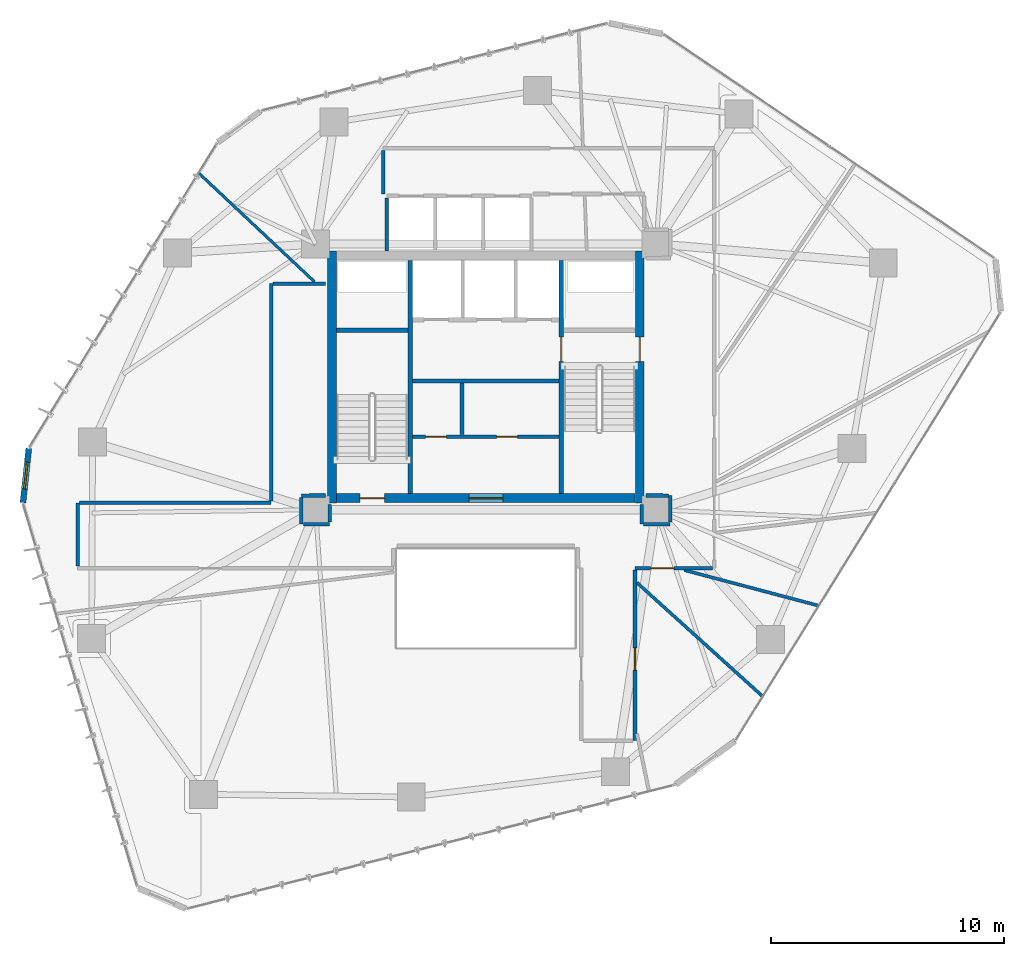
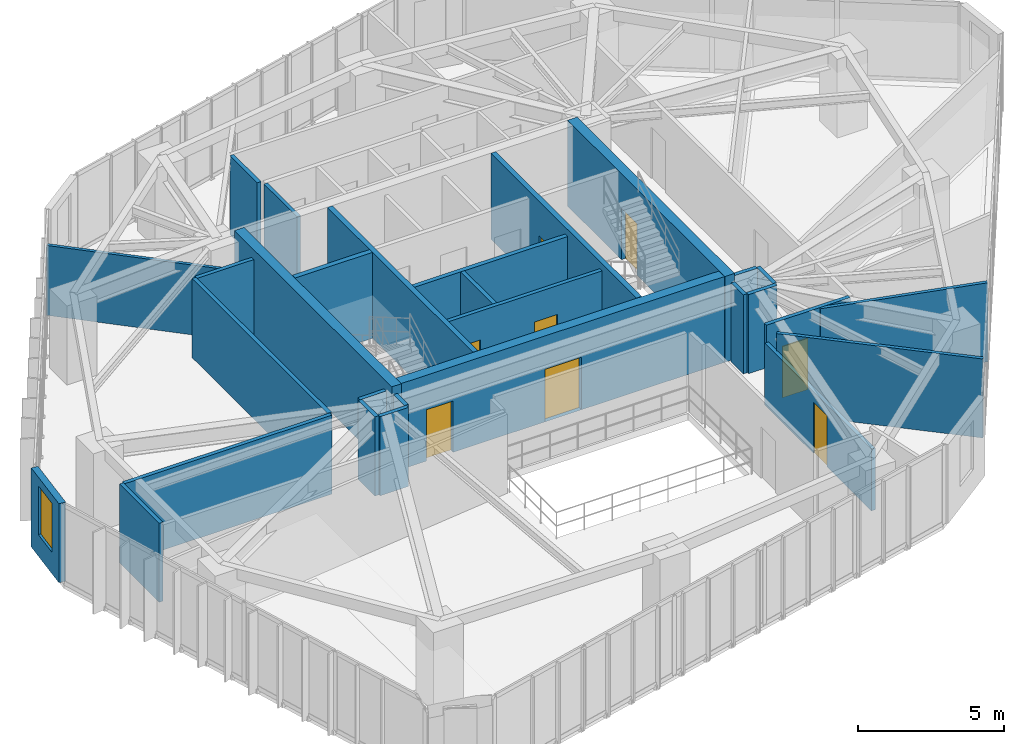
# One storey, part 16 of 20: 29 walls, 8 doors, 1 window, 9 openings.
"""IFC4 building model written with IfcOpenShell, lengths in metres."""

from ifc_helpers import new_model, si_unit, direction, frame, frame_2d, origin, place, context, subcontext, project, spatial, rectangle, extrude, source, transform, mapped, material, layer, layer_set, type_object, type_shapes, element, fill, save


model = new_model("IFC4")

# Units and contexts
model_context = context("Model", 3, precision=1e-05, world=origin(), true_north=direction((0.0, 1.0)))
body_context = subcontext(model_context, "Body", "Model", "MODEL_VIEW")
ifc_project = project(units=[si_unit("LENGTHUNIT", "METRE"), si_unit("AREAUNIT", "SQUARE_METRE"), si_unit("VOLUMEUNIT", "CUBIC_METRE"), si_unit("PLANEANGLEUNIT", "RADIAN"), si_unit("MASSUNIT", "GRAM", prefix="KILO")], contexts=[model_context])

# Site, building, storey
site_placement = place(None, origin())
site = spatial("IfcSite", under=ifc_project, at=site_placement, CompositionType="ELEMENT")
building_placement = place(site_placement, origin())
building = spatial("IfcBuilding", under=site, at=building_placement, Name="Talar Marvaseh", CompositionType="ELEMENT")
storey_placement = place(building_placement, frame((0.0, 0.0, 132.60009765625)))
storey = spatial("IfcBuildingStorey", under=building, at=storey_placement, Name="L34", CompositionType="ELEMENT", Elevation=132.60009765625)

# Wall, opening, window
ifc_material_1 = material(Name="Precast concrete C45/55", Category="concrete")
ifc_layer_1 = layer(ifc_material_1, 0.2548828125)
ifc_layer_set_1 = layer_set([ifc_layer_1], Name="Precast concrete C45/55")
wall_type_1 = type_object("IfcWallType", Name="Chamfered Hexagonal Corner Pier Wall Z2 255", PredefinedType="SOLIDWALL", material=ifc_layer_set_1)
wall_1_placement = place(storey_placement, frame((6.155029296875, 25.80322265625, 0.0), z_axis=(0.0, 0.0, 1.0), x_axis=(0.106687780628, 0.994292571362, 0.0)))
wall_1 = element("IfcWall", 1, at=wall_1_placement, inside=storey, type_object=wall_type_1, Name="L34 Chamfered Corner Limestone Pier 2", PredefinedType="SOLIDWALL", context=body_context, shape_type="SweptSolid", body=[
    extrude(rectangle(XDim=2.341064453125, YDim=0.2548828125, at=frame_2d((1.17041015625, 0.0))), origin(), (0.0, 0.0, 1.0), 3.309814453125),
])
opening_1_placement = place(wall_1_placement, frame((0.594970703125, 0.0, 0.89990234375)))
opening_1 = element("IfcOpeningElement", 2, at=opening_1_placement, cuts=wall_1, Name="Opening WN-CHM11", PredefinedType="OPENING", context=body_context, shape_type="SweptSolid", body=[
    extrude(rectangle(XDim=1.14990234375, YDim=2.050048828125, at=frame_2d((0.574951171875, 1.02490234375))), frame((0.0, 0.137451171875, 0.0), z_axis=(0.0, -1.0, 0.0), x_axis=(1.0, 0.0, 0.0)), (0.0, 0.0, 1.0), 0.27490234375),
])
ifc_material_2 = material(Name="Laminated Low-E Solar Glass", Category="glass")
window_type = type_object("IfcWindowType", Name="Zone 2 Chamfered Corner Slot Window 1150x2050", PartitioningType="SINGLE_PANEL", PredefinedType="WINDOW", material=ifc_material_2)
shared_shape_1 = source(origin(), body_context, "Body", "SweptSolid", [
    extrude(rectangle(XDim=1.14990234375, YDim=2.050048828125, at=frame_2d((0.574951171875, 1.02490234375))), frame((0.0, 0.030029296875, 0.0), z_axis=(0.0, -1.0, 0.0), x_axis=(1.0, 0.0, 0.0)), (0.0, 0.0, 1.0), 0.06005859375),
])
type_shapes(window_type, [shared_shape_1])
window_placement = place(opening_1_placement, origin())
window = element("IfcWindow", 3, at=window_placement, inside=storey, type_object=window_type, Name="L34 Chamfered Corner Slot Window", OverallHeight=2.050048828125, OverallWidth=1.14990234375, PartitioningType="SINGLE_PANEL", PredefinedType="WINDOW", context=body_context, shape_type="MappedRepresentation", body=[
    mapped(shared_shape_1, transform((0.0, 0.0, 0.0), x_axis=(1.0, 0.0, 0.0), y_axis=(0.0, 1.0, 0.0), z_axis=(0.0, 0.0, 1.0), scale=1.0)),
])
fill(opening_1, window)

# Wall, openings, doors
ifc_material_3 = material(Name="Gypsum Board Partition Assembly")
ifc_layer_2 = layer(ifc_material_3, 0.155029296875)
ifc_layer_set_2 = layer_set([ifc_layer_2], Name="Gypsum Board Partition Assembly")
wall_type_2 = type_object("IfcWallType", Name="Corridor Fire-Rated Acoustic Partition 155", PredefinedType="PARTITIONING", material=ifc_layer_set_2)
wall_2_placement = place(storey_placement, frame((22.865966796875, 28.639892578125, 0.0), z_axis=(0.0, 0.0, 1.0), x_axis=(1.0, 0.0, 0.0)))
wall_2 = element("IfcWall", 4, at=wall_2_placement, inside=storey, type_object=wall_type_2, Name="L34 Core BOH Partition", PredefinedType="PARTITIONING", context=body_context, shape_type="SweptSolid", body=[
    extrude(rectangle(XDim=6.26806640625, YDim=0.155029296875, at=frame_2d((3.134033203125, 0.0))), origin(), (0.0, 0.0, 1.0), 3.309814453125),
])
opening_2_placement = place(wall_2_placement, frame((0.550048828125, 0.0, 0.0)))
opening_2 = element("IfcOpeningElement", 5, at=opening_2_placement, cuts=wall_2, Name="Opening DR-BOH090", PredefinedType="OPENING", context=body_context, shape_type="SweptSolid", body=[
    extrude(rectangle(XDim=0.89990234375, YDim=2.10009765625, at=frame_2d((0.449951171875, 1.050048828125))), frame((0.0, 0.08740234375, 0.0), z_axis=(0.0, -1.0, 0.0), x_axis=(1.0, 0.0, 0.0)), (0.0, 0.0, 1.0), 0.175048828125),
])
opening_3_placement = place(wall_2_placement, frame((3.60009765625, 0.0, 0.0)))
opening_3 = element("IfcOpeningElement", 6, at=opening_3_placement, cuts=wall_2, Name="Opening DR-BOH090", PredefinedType="OPENING", context=body_context, shape_type="SweptSolid", body=[
    extrude(rectangle(XDim=0.89990234375, YDim=2.10009765625, at=frame_2d((0.449951171875, 1.050048828125))), frame((0.0, 0.08740234375, 0.0), z_axis=(0.0, -1.0, 0.0), x_axis=(1.0, 0.0, 0.0)), (0.0, 0.0, 1.0), 0.175048828125),
])
ifc_material_4 = material(Name="Fire-Rated Steel Door Leaf", Category="steel")
door_type_1 = type_object("IfcDoorType", Name="Core Back-of-House Service Door 900x2100", OperationType="NOTDEFINED", PredefinedType="DOOR", material=ifc_material_4)
shared_shape_2 = source(origin(), body_context, "Body", "SweptSolid", [
    extrude(rectangle(XDim=0.89990234375, YDim=2.10009765625, at=frame_2d((0.449951171875, 1.050048828125))), frame((0.0, 0.02490234375, 0.0), z_axis=(0.0, -1.0, 0.0), x_axis=(1.0, 0.0, 0.0)), (0.0, 0.0, 1.0), 0.050048828125),
])
type_shapes(door_type_1, [shared_shape_2])
door_1_placement = place(opening_2_placement, origin())
door_1 = element("IfcDoor", 7, at=door_1_placement, inside=storey, type_object=door_type_1, Name="L34 Cleaner Janitor Store Door", OperationType="SINGLE_SWING_LEFT", OverallHeight=2.10009765625, OverallWidth=0.89990234375, PredefinedType="DOOR", context=body_context, shape_type="MappedRepresentation", body=[
    mapped(shared_shape_2, transform((0.0, 0.0, 0.0), x_axis=(1.0, 0.0, 0.0), y_axis=(0.0, 1.0, 0.0), z_axis=(0.0, 0.0, 1.0), scale=1.0)),
])
fill(opening_2, door_1)
door_2_placement = place(opening_3_placement, origin())
door_2 = element("IfcDoor", 8, at=door_2_placement, inside=storey, type_object=door_type_1, Name="L34 Plant Core Electrical Meter Room Door", OperationType="SINGLE_SWING_RIGHT", OverallHeight=2.10009765625, OverallWidth=0.89990234375, PredefinedType="DOOR", context=body_context, shape_type="MappedRepresentation", body=[
    mapped(shared_shape_2, transform((0.0, 0.0, 0.0), x_axis=(1.0, 0.0, 0.0), y_axis=(0.0, 1.0, 0.0), z_axis=(0.0, 0.0, 1.0), scale=1.0)),
])
fill(opening_3, door_2)

# Wall
wall_3_placement = place(storey_placement, frame((24.97998046875, 28.719970703125, 0.0), z_axis=(0.0, 0.0, 1.0), x_axis=(0.0, 1.0, 0.0)))
element("IfcWall", 9, at=wall_3_placement, inside=storey, type_object=wall_type_2, Name="L34 Core BOH Partition", PredefinedType="PARTITIONING", context=body_context, shape_type="SweptSolid", body=[
    extrude(rectangle(XDim=2.219970703125, YDim=0.155029296875, at=frame_2d((1.10986328125, 0.0))), origin(), (0.0, 0.0, 1.0), 3.309814453125),
])

# Wall, opening, door
wall_4_placement = place(storey_placement, frame((35.716552734375, 23.0, 0.0), z_axis=(0.0, 0.0, 1.0), x_axis=(-1.0, 0.0, 0.0)))
wall_4 = element("IfcWall", 10, at=wall_4_placement, inside=storey, type_object=wall_type_2, Name="L34 Interior Partition Wall", PredefinedType="PARTITIONING", context=body_context, shape_type="SweptSolid", body=[
    extrude(rectangle(XDim=3.316650390625, YDim=0.155029296875, at=frame_2d((1.658203125, 0.0))), origin(), (0.0, 0.0, 1.0), 3.309814453125),
])
opening_4_placement = place(wall_4_placement, frame((1.64697265625, 0.0, 0.0)))
opening_4 = element("IfcOpeningElement", 11, at=opening_4_placement, cuts=wall_4, Name="Opening DR-RM100", PredefinedType="OPENING", context=body_context, shape_type="SweptSolid", body=[
    extrude(rectangle(XDim=1.0, YDim=2.14990234375, at=frame_2d((0.5, 1.074951171875))), frame((0.0, 0.08740234375, 0.0), z_axis=(0.0, -1.0, 0.0), x_axis=(1.0, 0.0, 0.0)), (0.0, 0.0, 1.0), 0.175048828125),
])
ifc_material_5 = material(Name="Acoustic Engineered Oak Timber", Category="wood")
door_type_2 = type_object("IfcDoorType", Name="Corridor Fire-Rated Gallery Door 1000x2150", OperationType="NOTDEFINED", PredefinedType="DOOR", material=ifc_material_5)
shared_shape_3 = source(origin(), body_context, "Body", "SweptSolid", [
    extrude(rectangle(XDim=1.0, YDim=2.14990234375, at=frame_2d((0.5, 1.074951171875))), frame((0.0, 0.02490234375, 0.0), z_axis=(0.0, -1.0, 0.0), x_axis=(1.0, 0.0, 0.0)), (0.0, 0.0, 1.0), 0.050048828125),
])
type_shapes(door_type_2, [shared_shape_3])
door_3_placement = place(opening_4_placement, origin())
door_3 = element("IfcDoor", 12, at=door_3_placement, inside=storey, type_object=door_type_2, Name="L34 Archival Research Office Door", OperationType="SINGLE_SWING_LEFT", OverallHeight=2.14990234375, OverallWidth=1.0, PredefinedType="DOOR", context=body_context, shape_type="MappedRepresentation", body=[
    mapped(shared_shape_3, transform((0.0, 0.0, 0.0), x_axis=(1.0, 0.0, 0.0), y_axis=(0.0, 1.0, 0.0), z_axis=(0.0, 0.0, 1.0), scale=1.0)),
])
fill(opening_4, door_3)

wall_5_placement = place(storey_placement, frame((32.39990234375, 22.91650390625, 0.0), z_axis=(0.0, 0.0, 1.0), x_axis=(0.0, -1.0, 0.0)))
wall_5 = element("IfcWall", 13, at=wall_5_placement, inside=storey, type_object=wall_type_2, Name="L34 Interior Partition Wall", PredefinedType="PARTITIONING", context=body_context, shape_type="SweptSolid", body=[
    extrude(rectangle(XDim=7.31640625, YDim=0.155029296875, at=frame_2d((3.658203125, 0.0))), origin(), (0.0, 0.0, 1.0), 2.58984375),
])
opening_5_placement = place(wall_5_placement, frame((3.33544921875, 0.0, 0.0)))
opening_5 = element("IfcOpeningElement", 14, at=opening_5_placement, cuts=wall_5, Name="Opening DR-WC095", PredefinedType="OPENING", context=body_context, shape_type="SweptSolid", body=[
    extrude(rectangle(XDim=0.949951171875, YDim=2.14990234375, at=frame_2d((0.47509765625, 1.074951171875))), frame((0.0, 0.08740234375, 0.0), z_axis=(0.0, -1.0, 0.0), x_axis=(1.0, 0.0, 0.0)), (0.0, 0.0, 1.0), 0.175048828125),
])
door_type_3 = type_object("IfcDoorType", Name="Washroom and Service Room Door 950x2150", OperationType="NOTDEFINED", PredefinedType="DOOR", material=ifc_material_5)
shared_shape_4 = source(origin(), body_context, "Body", "SweptSolid", [
    extrude(rectangle(XDim=0.949951171875, YDim=2.14990234375, at=frame_2d((0.47509765625, 1.074951171875))), frame((0.0, 0.02490234375, 0.0), z_axis=(0.0, -1.0, 0.0), x_axis=(1.0, 0.0, 0.0)), (0.0, 0.0, 1.0), 0.050048828125),
])
type_shapes(door_type_3, [shared_shape_4])
door_4_placement = place(opening_5_placement, origin())
door_4 = element("IfcDoor", 15, at=door_4_placement, inside=storey, type_object=door_type_3, Name="L34 Rare Books Archive Room Door", OperationType="SINGLE_SWING_RIGHT", OverallHeight=2.14990234375, OverallWidth=0.949951171875, PredefinedType="DOOR", context=body_context, shape_type="MappedRepresentation", body=[
    mapped(shared_shape_4, transform((0.0, 0.0, 0.0), x_axis=(1.0, 0.0, 0.0), y_axis=(0.0, 1.0, 0.0), z_axis=(0.0, 0.0, 1.0), scale=1.0)),
])
fill(opening_5, door_4)

# Walls
wall_6_placement = place(storey_placement, frame((8.5, 23.08349609375, 0.0), z_axis=(0.0, 0.0, 1.0), x_axis=(0.0, 1.0, 0.0)))
element("IfcWall", 16, at=wall_6_placement, inside=storey, type_object=wall_type_2, Name="L34 Interior Partition Wall", PredefinedType="PARTITIONING", context=body_context, shape_type="SweptSolid", body=[
    extrude(rectangle(XDim=2.716552734375, YDim=0.155029296875, at=frame_2d((1.3583984375, 0.0))), origin(), (0.0, 0.0, 1.0), 3.309814453125),
])
wall_7_placement = place(storey_placement, frame((8.58349609375, 25.800048828125, 0.0), z_axis=(0.0, 0.0, 1.0), x_axis=(1.0, 0.0, 0.0)))
element("IfcWall", 17, at=wall_7_placement, inside=storey, type_object=wall_type_2, Name="L34 Interior Partition Wall", PredefinedType="PARTITIONING", context=body_context, shape_type="SweptSolid", body=[
    extrude(rectangle(XDim=8.216552734375, YDim=0.155029296875, at=frame_2d((4.1083984375, 0.0))), origin(), (0.0, 0.0, 1.0), 3.309814453125),
])
wall_8_placement = place(storey_placement, frame((16.800048828125, 25.883544921875, 0.0), z_axis=(0.0, 0.0, 1.0), x_axis=(0.0, 1.0, 0.0)))
element("IfcWall", 18, at=wall_8_placement, inside=storey, type_object=wall_type_2, Name="L34 Interior Partition Wall", PredefinedType="PARTITIONING", context=body_context, shape_type="SweptSolid", body=[
    extrude(rectangle(XDim=9.31640625, YDim=0.155029296875, at=frame_2d((4.658203125, 0.0))), origin(), (0.0, 0.0, 1.0), 3.309814453125),
])
wall_9_placement = place(storey_placement, frame((16.883544921875, 35.199951171875, 0.0), z_axis=(0.0, 0.0, 1.0), x_axis=(1.0, 0.0, 0.0)))
element("IfcWall", 19, at=wall_9_placement, inside=storey, type_object=wall_type_2, Name="L34 Interior Partition Wall", PredefinedType="PARTITIONING", context=body_context, shape_type="SweptSolid", body=[
    extrude(rectangle(XDim=2.246337890625, YDim=0.155029296875, at=frame_2d((1.123046875, 0.0))), origin(), (0.0, 0.0, 1.0), 3.309814453125),
])
wall_10_placement = place(storey_placement, frame((19.1298828125, 26.114990234375, 0.0), z_axis=(0.0, 0.0, 1.0), x_axis=(-0.999986702653, -0.005156987215, 0.0)))
element("IfcWall", 20, at=wall_10_placement, inside=storey, type_object=wall_type_2, Name="L34 Interior Partition Wall", PredefinedType="PARTITIONING", context=body_context, shape_type="SweptSolid", body=[
    extrude(rectangle(XDim=1.04150390625, YDim=0.155029296875, at=frame_2d((0.520751953125, 0.0))), origin(), (0.0, 0.0, 1.0), 3.309814453125),
])
wall_11_placement = place(storey_placement, frame((18.088623046875, 26.02587890625, 0.0), z_axis=(0.0, 0.0, 1.0), x_axis=(0.002787893948, -0.999996113816, 0.0)))
element("IfcWall", 21, at=wall_11_placement, inside=storey, type_object=wall_type_2, Name="L34 Interior Partition Wall", PredefinedType="PARTITIONING", context=body_context, shape_type="SweptSolid", body=[
    extrude(rectangle(XDim=1.138427734375, YDim=0.155029296875, at=frame_2d((0.5693359375, 0.0))), origin(), (0.0, 0.0, 1.0), 3.309814453125),
])
wall_12_placement = place(storey_placement, frame((18.17529296875, 24.8876953125, 0.0), z_axis=(0.0, 0.0, 1.0), x_axis=(0.999999791525, 0.000645716611, 0.0)))
element("IfcWall", 22, at=wall_12_placement, inside=storey, type_object=wall_type_2, Name="L34 Interior Partition Wall", PredefinedType="PARTITIONING", context=body_context, shape_type="SweptSolid", body=[
    extrude(rectangle(XDim=1.13427734375, YDim=0.155029296875, at=frame_2d((0.567138671875, 0.0))), origin(), (0.0, 0.0, 1.0), 3.309814453125),
])
wall_13_placement = place(storey_placement, frame((19.31005859375, 24.971923828125, 0.0), z_axis=(0.0, 0.0, 1.0), x_axis=(0.006441090216, 0.999979255963, 0.0)))
element("IfcWall", 23, at=wall_13_placement, inside=storey, type_object=wall_type_2, Name="L34 Interior Partition Wall", PredefinedType="PARTITIONING", context=body_context, shape_type="SweptSolid", body=[
    extrude(rectangle(XDim=0.758056640625, YDim=0.155029296875, at=frame_2d((0.37890625, 0.0))), origin(), (0.0, 0.0, 1.0), 3.309814453125),
])
wall_14_placement = place(storey_placement, frame((32.68505859375, 25.72998046875, 0.0), z_axis=(0.0, 0.0, 1.0), x_axis=(0.006382231486, -0.999979633353, 0.0)))
element("IfcWall", 24, at=wall_14_placement, inside=storey, type_object=wall_type_2, Name="L34 Interior Partition Wall", PredefinedType="PARTITIONING", context=body_context, shape_type="SweptSolid", body=[
    extrude(rectangle(XDim=0.841552734375, YDim=0.155029296875, at=frame_2d((0.4208984375, 0.0))), origin(), (0.0, 0.0, 1.0), 3.309814453125),
])
wall_15_placement = place(storey_placement, frame((32.77392578125, 24.88818359375, 0.0), z_axis=(0.0, 0.0, 1.0), x_axis=(0.999999164303, -0.001292823742, 0.0)))
element("IfcWall", 25, at=wall_15_placement, inside=storey, type_object=wall_type_2, Name="L34 Interior Partition Wall", PredefinedType="PARTITIONING", context=body_context, shape_type="SweptSolid", body=[
    extrude(rectangle(XDim=1.133056640625, YDim=0.155029296875, at=frame_2d((0.56640625, 0.0))), origin(), (0.0, 0.0, 1.0), 3.309814453125),
])
wall_16_placement = place(storey_placement, frame((33.907470703125, 24.97021484375, 0.0), z_axis=(0.0, 0.0, 1.0), x_axis=(0.003642572792, 0.99999336581, 0.0)))
element("IfcWall", 26, at=wall_16_placement, inside=storey, type_object=wall_type_2, Name="L34 Interior Partition Wall", PredefinedType="PARTITIONING", context=body_context, shape_type="SweptSolid", body=[
    extrude(rectangle(XDim=1.139404296875, YDim=0.155029296875, at=frame_2d((0.56982421875, 0.0))), origin(), (0.0, 0.0, 1.0), 3.309814453125),
])
wall_17_placement = place(storey_placement, frame((33.828125, 26.110107421875, 0.0), z_axis=(0.0, 0.0, 1.0), x_axis=(-0.999987011364, 0.005096773758, 0.0)))
element("IfcWall", 27, at=wall_17_placement, inside=storey, type_object=wall_type_2, Name="L34 Interior Partition Wall", PredefinedType="PARTITIONING", context=body_context, shape_type="SweptSolid", body=[
    extrude(rectangle(XDim=0.9580078125, YDim=0.155029296875, at=frame_2d((0.47900390625, 0.0))), origin(), (0.0, 0.0, 1.0), 3.309814453125),
])
wall_18_placement = place(storey_placement, frame((21.60009765625, 39.0400390625, 0.0), z_axis=(0.0, 0.0, 1.0), x_axis=(0.0, 1.0, 0.0)))
element("IfcWall", 28, at=wall_18_placement, inside=storey, type_object=wall_type_2, Name="L34 Interior Partition Wall", PredefinedType="PARTITIONING", context=body_context, shape_type="SweptSolid", body=[
    extrude(rectangle(XDim=1.87646484375, YDim=0.155029296875, at=frame_2d((0.938232421875, 0.0))), origin(), (0.0, 0.0, 1.0), 3.309814453125),
])
ifc_layer_3 = layer(ifc_material_3, 0.1201171875)
ifc_layer_set_3 = layer_set([ifc_layer_3], Name="Gypsum Board Partition Assembly")
wall_type_3 = type_object("IfcWallType", Name="Demountable Studio Room Partition 120", PredefinedType="PARTITIONING", material=ifc_layer_set_3)
wall_19_placement = place(storey_placement, frame((18.651123046875, 35.283447265625, 0.0), z_axis=(0.0, 0.0, 1.0), x_axis=(-0.72907229972, 0.684436689389, 0.0)))
element("IfcWall", 29, at=wall_19_placement, inside=storey, type_object=wall_type_3, Name="L34 Interior Partition Wall", PredefinedType="PARTITIONING", context=body_context, shape_type="SweptSolid", body=[
    extrude(rectangle(XDim=6.782470703125, YDim=0.1201171875, at=frame_2d((3.39111328125, 0.0))), origin(), (0.0, 0.0, 1.0), 2.927001953125),
])
ifc_layer_4 = layer(ifc_material_1, 0.14501953125)
ifc_layer_set_4 = layer_set([ifc_layer_4], Name="Precast concrete C45/55")
wall_type_4 = type_object("IfcWallType", Name="Fire-Rated Lift Divider Wall 145", PredefinedType="SOLIDWALL", material=ifc_layer_set_4)
wall_20_placement = place(storey_placement, frame((21.760009765625, 36.60009765625, 0.0), z_axis=(0.0, 0.0, 1.0), x_axis=(0.0, 1.0, 0.0)))
element("IfcWall", 30, at=wall_20_placement, inside=storey, type_object=wall_type_4, Name="L34 Low-Rise Bank West Wall", PredefinedType="SOLIDWALL", context=body_context, shape_type="SweptSolid", body=[
    extrude(rectangle(XDim=2.266357421875, YDim=0.14501953125, at=frame_2d((1.13330078125, 0.0))), origin(), (0.0, 0.0, 1.0), 3.309814453125),
])
ifc_layer_5 = layer(ifc_material_1, 0.175048828125)
ifc_layer_set_5 = layer_set([ifc_layer_5], Name="Precast concrete C45/55")
wall_type_5 = type_object("IfcWallType", Name="Fire-Rated Lift Hoistway Enclosure Wall 175", PredefinedType="SOLIDWALL", material=ifc_layer_set_5)
wall_21_placement = place(storey_placement, frame((22.860107421875, 31.02001953125, 0.0), z_axis=(0.0, 0.0, 1.0), x_axis=(1.0, 0.0, 0.0)))
element("IfcWall", 31, at=wall_21_placement, inside=storey, type_object=wall_type_5, Name="L34 Firefighting Lobby South Smoke Wall", PredefinedType="SOLIDWALL", context=body_context, shape_type="SweptSolid", body=[
    extrude(rectangle(XDim=6.27978515625, YDim=0.175048828125, at=frame_2d((3.139892578125, 0.0))), origin(), (0.0, 0.0, 1.0), 3.309814453125),
])
ifc_layer_6 = layer(ifc_material_3, 0.135009765625)
ifc_layer_set_6 = layer_set([ifc_layer_6], Name="Gypsum Board Partition Assembly")
wall_type_6 = type_object("IfcWallType", Name="Gallery High-Acoustic Partition 135", PredefinedType="PARTITIONING", material=ifc_layer_set_6)
wall_22_placement = place(storey_placement, frame((32.4833984375, 22.37451171875, 0.0), z_axis=(0.0, 0.0, 1.0), x_axis=(0.741692922996, -0.670739597741, 0.0)))
element("IfcWall", 32, at=wall_22_placement, inside=storey, type_object=wall_type_6, Name="L34 Interior Partition Wall", PredefinedType="PARTITIONING", context=body_context, shape_type="SweptSolid", body=[
    extrude(rectangle(XDim=7.25, YDim=0.135009765625, at=frame_2d((3.625, 0.0))), origin(), (0.0, 0.0, 1.0), 3.309814453125),
])
wall_23_placement = place(storey_placement, frame((34.50537109375, 22.91650390625, 0.0), z_axis=(0.0, 0.0, 1.0), x_axis=(0.96667301258, -0.256014231537, 0.0)))
element("IfcWall", 33, at=wall_23_placement, inside=storey, type_object=wall_type_6, Name="L34 Interior Partition Wall", PredefinedType="PARTITIONING", context=body_context, shape_type="SweptSolid", body=[
    extrude(rectangle(XDim=5.956298828125, YDim=0.135009765625, at=frame_2d((2.97802734375, 0.0))), origin(), (0.0, 0.0, 1.0), 3.309814453125),
])
ifc_material_6 = material(Name="Concrete C60/75", Category="concrete")
ifc_layer_7 = layer(ifc_material_6, 0.3798828125)
ifc_layer_set_7 = layer_set([ifc_layer_7], Name="Concrete C60/75")
wall_type_7 = type_object("IfcWallType", Name="Mid Core Reinforced Concrete Shear Wall 380", PredefinedType="SHEAR", material=ifc_layer_set_7)
wall_24_placement = place(storey_placement, frame((19.39990234375, 25.800048828125, 0.0), z_axis=(0.0, 0.0, 1.0), x_axis=(0.0, 1.0, 0.0)))
element("IfcWall", 34, at=wall_24_placement, inside=storey, type_object=wall_type_7, Name="L34 West Core Shear Wall", PredefinedType="SHEAR", context=body_context, shape_type="SweptSolid", body=[
    extrude(rectangle(XDim=10.800048828125, YDim=0.3798828125, at=frame_2d((5.39990234375, 0.0))), origin(), (0.0, 0.0, 1.0), 3.599853515625),
])

# Wall, opening, door
wall_25_placement = place(storey_placement, frame((32.60009765625, 36.60009765625, 0.0), z_axis=(0.0, 0.0, 1.0), x_axis=(0.0, -1.0, 0.0)))
wall_25 = element("IfcWall", 35, at=wall_25_placement, inside=storey, type_object=wall_type_7, Name="L34 East Core Shear Wall", PredefinedType="SHEAR", context=body_context, shape_type="SweptSolid", body=[
    extrude(rectangle(XDim=10.800048828125, YDim=0.3798828125, at=frame_2d((5.39990234375, 0.0))), origin(), (0.0, 0.0, 1.0), 3.599853515625),
])
opening_6_placement = place(wall_25_placement, frame((3.699951171875, 0.0, 0.0)))
opening_6 = element("IfcOpeningElement", 36, at=opening_6_placement, cuts=wall_25, Name="Opening DR-ST105", PredefinedType="OPENING", context=body_context, shape_type="SweptSolid", body=[
    extrude(rectangle(XDim=1.050048828125, YDim=2.14990234375, at=frame_2d((0.52490234375, 1.074951171875))), frame((0.0, 0.199951171875, 0.0), z_axis=(0.0, -1.0, 0.0), x_axis=(1.0, 0.0, 0.0)), (0.0, 0.0, 1.0), 0.39990234375),
])
door_type_4 = type_object("IfcDoorType", Name="Protected Exit Stair Fire Door 1050x2150", OperationType="NOTDEFINED", PredefinedType="DOOR", material=ifc_material_4)
shared_shape_5 = source(origin(), body_context, "Body", "SweptSolid", [
    extrude(rectangle(XDim=1.050048828125, YDim=2.14990234375, at=frame_2d((0.52490234375, 1.074951171875))), frame((0.0, 0.02490234375, 0.0), z_axis=(0.0, -1.0, 0.0), x_axis=(1.0, 0.0, 0.0)), (0.0, 0.0, 1.0), 0.050048828125),
])
type_shapes(door_type_4, [shared_shape_5])
door_5_placement = place(opening_6_placement, origin())
door_5 = element("IfcDoor", 37, at=door_5_placement, inside=storey, type_object=door_type_4, Name="L34 Stair ST-2 Corridor Exit Door", OperationType="SINGLE_SWING_LEFT", OverallHeight=2.14990234375, OverallWidth=1.050048828125, PredefinedType="DOOR", context=body_context, shape_type="MappedRepresentation", body=[
    mapped(shared_shape_5, transform((0.0, 0.0, 0.0), x_axis=(1.0, 0.0, 0.0), y_axis=(0.0, 1.0, 0.0), z_axis=(0.0, 0.0, 1.0), scale=1.0)),
])
fill(opening_6, door_5)

# Wall, openings, doors
wall_26_placement = place(storey_placement, frame((32.39990234375, 26.0, 0.0), z_axis=(0.0, 0.0, 1.0), x_axis=(-1.0, 0.0, 0.0)))
wall_26 = element("IfcWall", 38, at=wall_26_placement, inside=storey, type_object=wall_type_7, Name="L34 South Core Shear Wall", PredefinedType="SHEAR", context=body_context, shape_type="SweptSolid", body=[
    extrude(rectangle(XDim=12.7998046875, YDim=0.3798828125, at=frame_2d((6.39990234375, 0.0))), origin(), (0.0, 0.0, 1.0), 3.599853515625),
])
opening_7_placement = place(wall_26_placement, frame((10.75, 0.0, 0.0)))
opening_7 = element("IfcOpeningElement", 39, at=opening_7_placement, cuts=wall_26, Name="Opening DR-ST105", PredefinedType="OPENING", context=body_context, shape_type="SweptSolid", body=[
    extrude(rectangle(XDim=1.050048828125, YDim=2.14990234375, at=frame_2d((0.52490234375, 1.074951171875))), frame((0.0, 0.199951171875, 0.0), z_axis=(0.0, -1.0, 0.0), x_axis=(1.0, 0.0, 0.0)), (0.0, 0.0, 1.0), 0.39990234375),
])
opening_8_placement = place(wall_26_placement, frame((5.669921875, 0.0, 0.0)))
opening_8 = element("IfcOpeningElement", 40, at=opening_8_placement, cuts=wall_26, Name="Opening DR-LBY145", PredefinedType="OPENING", context=body_context, shape_type="SweptSolid", body=[
    extrude(rectangle(XDim=1.449951171875, YDim=2.199951171875, at=frame_2d((0.72509765625, 1.10009765625))), frame((0.0, 0.199951171875, 0.0), z_axis=(0.0, -1.0, 0.0), x_axis=(1.0, 0.0, 0.0)), (0.0, 0.0, 1.0), 0.39990234375),
])
door_6_placement = place(opening_7_placement, origin())
door_6 = element("IfcDoor", 41, at=door_6_placement, inside=storey, type_object=door_type_4, Name="L34 Stair ST-1 Exit Door", OperationType="SINGLE_SWING_RIGHT", OverallHeight=2.14990234375, OverallWidth=1.050048828125, PredefinedType="DOOR", context=body_context, shape_type="MappedRepresentation", body=[
    mapped(shared_shape_5, transform((0.0, 0.0, 0.0), x_axis=(1.0, 0.0, 0.0), y_axis=(0.0, 1.0, 0.0), z_axis=(0.0, 0.0, 1.0), scale=1.0)),
])
fill(opening_7, door_6)
door_type_5 = type_object("IfcDoorType", Name="Core Lift Lobby Double Smoke Door 1450x2200", OperationType="NOTDEFINED", PredefinedType="DOOR", material=ifc_material_4)
shared_shape_6 = source(origin(), body_context, "Body", "SweptSolid", [
    extrude(rectangle(XDim=1.449951171875, YDim=2.199951171875, at=frame_2d((0.72509765625, 1.10009765625))), frame((0.0, 0.02490234375, 0.0), z_axis=(0.0, -1.0, 0.0), x_axis=(1.0, 0.0, 0.0)), (0.0, 0.0, 1.0), 0.050048828125),
])
type_shapes(door_type_5, [shared_shape_6])
door_7_placement = place(opening_8_placement, origin())
door_7 = element("IfcDoor", 42, at=door_7_placement, inside=storey, type_object=door_type_5, Name="L34 Passenger Lift Lobby Entrance Door", OperationType="DOUBLE_DOOR_SINGLE_SWING", OverallHeight=2.199951171875, OverallWidth=1.449951171875, PredefinedType="DOOR", context=body_context, shape_type="MappedRepresentation", body=[
    mapped(shared_shape_6, transform((0.0, 0.0, 0.0), x_axis=(1.0, 0.0, 0.0), y_axis=(0.0, 1.0, 0.0), z_axis=(0.0, 0.0, 1.0), scale=1.0)),
])
fill(opening_8, door_7)

# Wall
ifc_material_7 = material(Name="Concrete C50/60", Category="concrete")
ifc_layer_8 = layer(ifc_material_7, 0.199951171875)
ifc_layer_set_8 = layer_set([ifc_layer_8], Name="Concrete C50/60")
wall_type_8 = type_object("IfcWallType", Name="Stair Shaft Structural Concrete Shear Wall 200", PredefinedType="SHEAR", material=ifc_layer_set_8)
wall_27_placement = place(storey_placement, frame((22.760009765625, 26.199951171875, 0.0), z_axis=(0.0, 0.0, 1.0), x_axis=(0.0, 1.0, 0.0)))
element("IfcWall", 43, at=wall_27_placement, inside=storey, type_object=wall_type_8, Name="L34 Core West Stair Shear Wall", PredefinedType="SHEAR", context=body_context, shape_type="SweptSolid", body=[
    extrude(rectangle(XDim=10.0, YDim=0.199951171875, at=frame_2d((5.0, 0.0))), origin(), (0.0, 0.0, 1.0), 3.599853515625),
])

# Wall, opening, door
wall_28_placement = place(storey_placement, frame((29.239990234375, 26.199951171875, 0.0), z_axis=(0.0, 0.0, 1.0), x_axis=(0.0, 1.0, 0.0)))
wall_28 = element("IfcWall", 44, at=wall_28_placement, inside=storey, type_object=wall_type_8, Name="L34 Core East Stair Shear Wall", PredefinedType="SHEAR", context=body_context, shape_type="SweptSolid", body=[
    extrude(rectangle(XDim=10.0, YDim=0.199951171875, at=frame_2d((5.0, 0.0))), origin(), (0.0, 0.0, 1.0), 3.599853515625),
])
opening_9_placement = place(wall_28_placement, frame((5.64990234375, 0.0, 0.0)))
opening_9 = element("IfcOpeningElement", 45, at=opening_9_placement, cuts=wall_28, Name="Opening DR-ST105", PredefinedType="OPENING", context=body_context, shape_type="SweptSolid", body=[
    extrude(rectangle(XDim=1.050048828125, YDim=2.14990234375, at=frame_2d((0.52490234375, 1.074951171875))), frame((0.0, 0.10986328125, 0.0), z_axis=(0.0, -1.0, 0.0), x_axis=(1.0, 0.0, 0.0)), (0.0, 0.0, 1.0), 0.219970703125),
])
door_8_placement = place(opening_9_placement, origin())
door_8 = element("IfcDoor", 46, at=door_8_placement, inside=storey, type_object=door_type_4, Name="L34 Firefighting Lobby to Stair ST-2 Door", OperationType="SINGLE_SWING_LEFT", OverallHeight=2.14990234375, OverallWidth=1.050048828125, PredefinedType="DOOR", context=body_context, shape_type="MappedRepresentation", body=[
    mapped(shared_shape_5, transform((0.0, 0.0, 0.0), x_axis=(1.0, 0.0, 0.0), y_axis=(0.0, 1.0, 0.0), z_axis=(0.0, 0.0, 1.0), scale=1.0)),
])
fill(opening_9, door_8)

# Wall
wall_29_placement = place(storey_placement, frame((19.60009765625, 33.199951171875, 0.0), z_axis=(0.0, 0.0, 1.0), x_axis=(1.0, 0.0, 0.0)))
element("IfcWall", 47, at=wall_29_placement, inside=storey, type_object=wall_type_8, Name="L34 Stair ST-1 North Shear Wall", PredefinedType="SHEAR", context=body_context, shape_type="SweptSolid", body=[
    extrude(rectangle(XDim=3.059814453125, YDim=0.199951171875, at=frame_2d((1.52978515625, 0.0))), origin(), (0.0, 0.0, 1.0), 3.599853515625),
])

save(model, "model.ifc")
